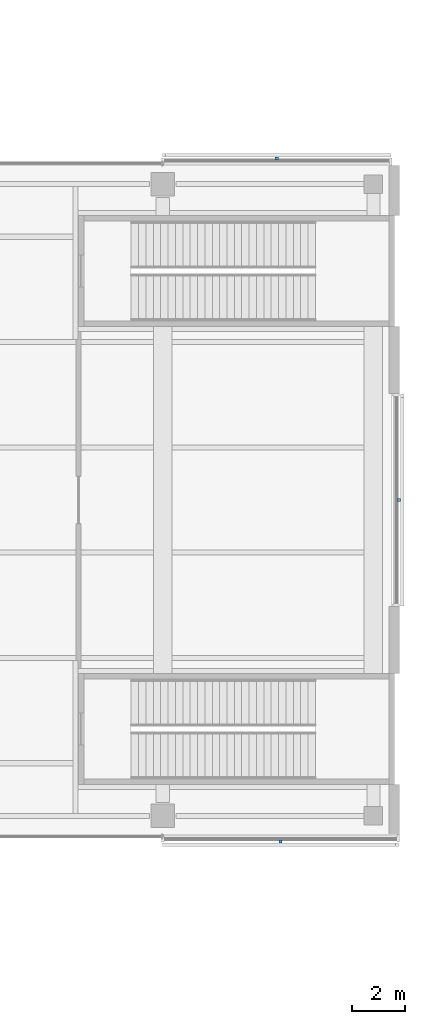
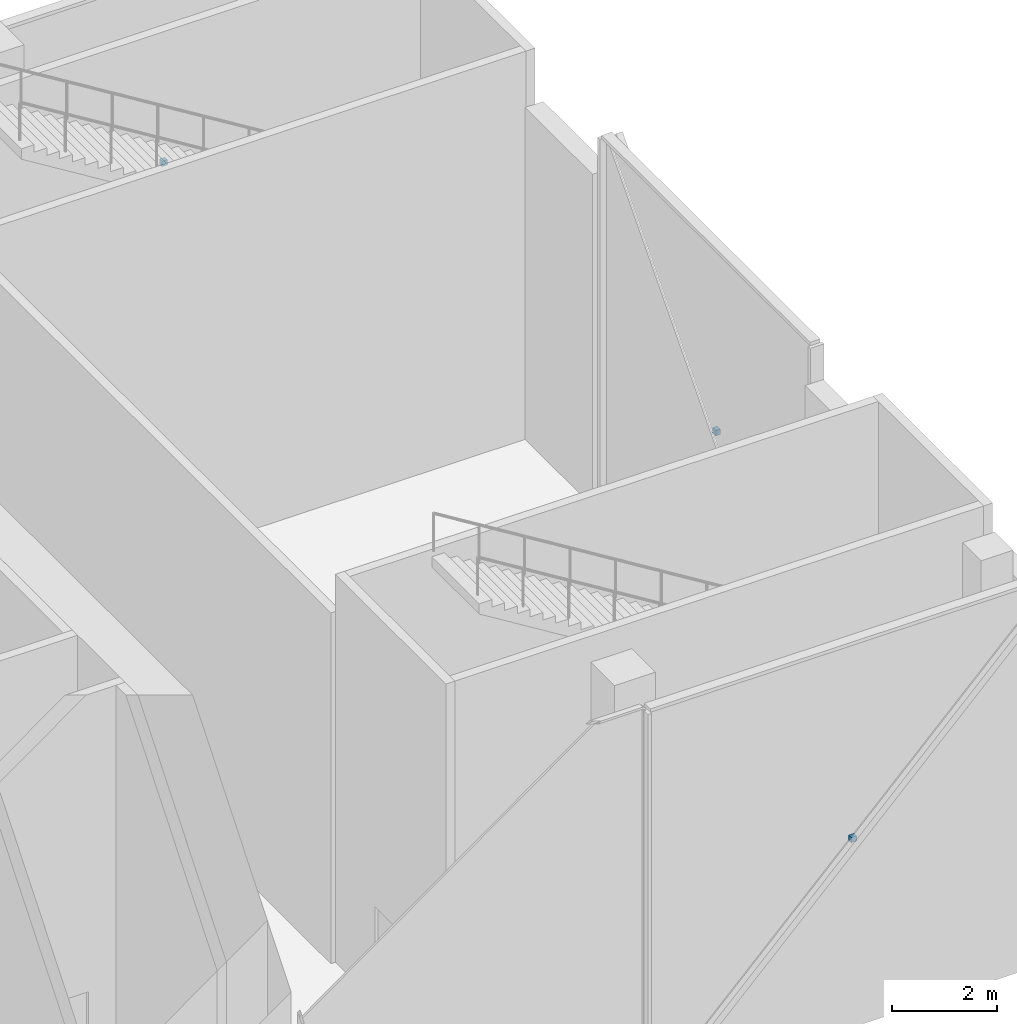
# One storey, part 23 of 26: 3 discrete accessories.
"""IFC4 building model written with IfcOpenShell, lengths in metres."""

from ifc_helpers import new_model, si_unit, direction, frame, origin, origin_2d, place, context, subcontext, project, spatial, rectangle, extrude, material, type_object, element, save


model = new_model("IFC4")

# Units and contexts
model_context = context("Model", 3, precision=1e-05, world=origin(), true_north=direction((0.0, 1.0)))
body_context = subcontext(model_context, "Body", "Model", "MODEL_VIEW")
ifc_project = project(units=[si_unit("LENGTHUNIT", "METRE"), si_unit("AREAUNIT", "SQUARE_METRE"), si_unit("VOLUMEUNIT", "CUBIC_METRE"), si_unit("PLANEANGLEUNIT", "RADIAN"), si_unit("MASSUNIT", "GRAM", prefix="KILO")], contexts=[model_context])

# Site, building, storey
site_placement = place(None, origin())
site = spatial("IfcSite", under=ifc_project, at=site_placement, CompositionType="ELEMENT")
building_placement = place(site_placement, origin())
building = spatial("IfcBuilding", under=site, at=building_placement, Name="Crosswind Convention Tower", CompositionType="ELEMENT")
storey_placement = place(building_placement, frame((0.0, 0.0, 25.0)))
storey = spatial("IfcBuildingStorey", under=building, at=storey_placement, Name="L03", CompositionType="ELEMENT", Elevation=25.0)

# Discrete accessories
ifc_material = material(Name="Stainless steel", Category="steel")
discrete_accessory_type = type_object("IfcDiscreteAccessoryType", Name="BAGUETTE BRACKET BK1", PredefinedType="BRACKET", material=ifc_material)
for number, where, z_axis, x_axis, name in (
    (1, (169.97412109375, 100.0, 4.0), (0.0, 0.0, 1.0), (0.0, 1.0, 0.0), "BK1 baguette bracket"),
    (2, (165.330078125, 112.97412109375, 4.0), (0.0, 0.0, 1.0), (-1.0, 0.0, 0.0), "BK1 baguette bracket"),
    (3, (165.472412109375, 87.02587890625, 4.0), (0.0, 0.0, 1.0), (1.0, 0.0, 0.0), "BK1 baguette bracket"),
):
    element("IfcDiscreteAccessory", number, at=place(storey_placement, frame(where, z_axis=z_axis, x_axis=x_axis)), inside=storey, type_object=discrete_accessory_type, Name=name, PredefinedType="BRACKET", context=body_context, shape_type="SweptSolid", body=[
        extrude(rectangle(XDim=0.1201171875, YDim=0.10009765625, at=origin_2d()), origin(), (0.0, 0.0, 1.0), 0.1201171875),
    ])

save(model, "model.ifc")
